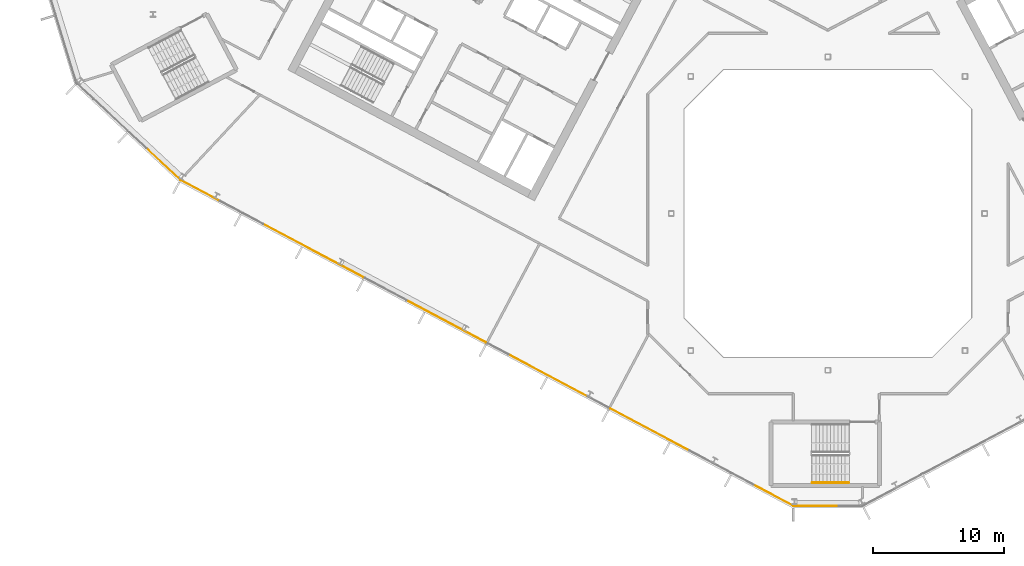
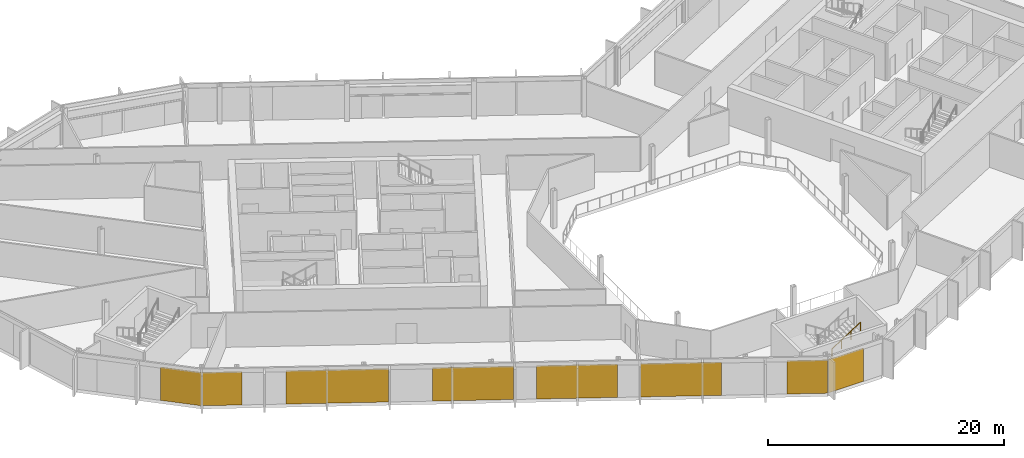
# One storey, part 18 of 26: 8 coverings, 1 railing, 3 elements without a shape of their own.
"""IFC4 building model written with IfcOpenShell, lengths in metres."""

import ifcopenshell
import ifcopenshell.guid

model = None  # the IFC model being written
_history = None  # IfcOwnerHistory: only IFC2X3 demands one
_inside = {}  # id of a spatial element -> (the spatial element, [elements in it])
_under = {}  # id of a project, library or spatial element -> (it, [spatial elements below it])
_declared = {}  # id of a project -> (the project, [libraries it declares])
_typed = {}  # id of a type object -> (the type object, [elements of that type])
_made_of = {}  # id of a material, layer set ... -> (it, [elements and type objects made of it])


def new_model(schema):
    """Start an empty IFC model of exactly this schema.

    Asked for "IFC4X3", IfcOpenShell would pick the latest addendum, in which some entities
    have other attributes; the version numbers below select the first issue.
    IFC2X3 requires an IfcOwnerHistory on every rooted entity: one is made here for all.
    """
    global model, _history
    if schema == "IFC4X3":
        model = ifcopenshell.file(schema_version=(4, 3, 0, 0))
    else:
        model = ifcopenshell.file(schema=schema)
    _inside.clear()
    _under.clear()
    _declared.clear()
    _typed.clear()
    _made_of.clear()
    _history = None
    if model.schema == "IFC2X3":
        org = make("IfcOrganization", Name="unknown")
        user = make(
            "IfcPersonAndOrganization",
            ThePerson=make("IfcPerson", FamilyName="unknown"),
            TheOrganization=org,
        )
        app = make(
            "IfcApplication",
            ApplicationDeveloper=org,
            Version="unknown",
            ApplicationFullName="unknown",
            ApplicationIdentifier="unknown",
        )
        _history = make(
            "IfcOwnerHistory",
            OwningUser=user,
            OwningApplication=app,
            ChangeAction="ADDED",
            CreationDate=0,
        )
    return model


def make(cls, **values):
    """One entity of the class cls with the attributes given. An attribute that is None is left unset."""
    return model.create_entity(
        cls, **{name: value for name, value in values.items() if value is not None}
    )


def rooted(cls, **values):
    """An entity with a GlobalId (a new one), such as an element, a storey or a relation."""
    return make(cls, GlobalId=ifcopenshell.guid.new(), OwnerHistory=_history, **values)


def si_unit(unit_type, name, prefix=None):
    """IfcSIUnit, for example si_unit("LENGTHUNIT", "METRE", prefix="MILLI")."""
    return make("IfcSIUnit", UnitType=unit_type, Prefix=prefix, Name=name)


def assignment(units):
    """IfcUnitAssignment: the units of a project."""
    return None if units is None else make("IfcUnitAssignment", Units=units)


def point(xyz):
    """IfcCartesianPoint."""
    return None if xyz is None else make("IfcCartesianPoint", Coordinates=xyz)


def direction(xyz):
    """IfcDirection."""
    return None if xyz is None else make("IfcDirection", DirectionRatios=xyz)


def frame(location, z_axis=None, x_axis=None):
    """IfcAxis2Placement3D, a coordinate frame: its origin and axes. An axis left out is left unset."""
    return make(
        "IfcAxis2Placement3D",
        Location=point(location),
        Axis=direction(z_axis),
        RefDirection=direction(x_axis),
    )


def frame_2d(location, x_axis=None):
    """IfcAxis2Placement2D, a coordinate frame in the plane: its origin and x axis."""
    return make(
        "IfcAxis2Placement2D", Location=point(location), RefDirection=direction(x_axis)
    )


def origin():
    """The frame at (0, 0, 0) with its axes left unset."""
    return frame((0.0, 0.0, 0.0))


def origin_2d():
    """The frame at (0, 0) in the plane with its x axis left unset."""
    return frame_2d((0.0, 0.0))


def place(relative_to, where):
    """IfcLocalPlacement: puts the frame where relative to a parent placement (None: the world)."""
    return make(
        "IfcLocalPlacement", PlacementRelTo=relative_to, RelativePlacement=where
    )


def context(
    kind, dimensions, precision=None, world=None, true_north=None, identifier=None
):
    """IfcGeometricRepresentationContext, for example the 3D "Model" context."""
    return make(
        "IfcGeometricRepresentationContext",
        ContextIdentifier=identifier,
        ContextType=kind,
        CoordinateSpaceDimension=dimensions,
        Precision=precision,
        WorldCoordinateSystem=world,
        TrueNorth=true_north,
    )


def subcontext(parent, identifier, kind, view, scale=None):
    """IfcGeometricRepresentationSubContext, for example "Body" below "Model"."""
    return make(
        "IfcGeometricRepresentationSubContext",
        ContextIdentifier=identifier,
        ContextType=kind,
        ParentContext=parent,
        TargetScale=scale,
        TargetView=view,
    )


def project(units=None, contexts=None):
    """IfcProject with its units and contexts."""
    return rooted(
        "IfcProject",
        Name="project",
        RepresentationContexts=contexts,
        UnitsInContext=assignment(units),
    )


def spatial(cls, under=None, at=None, **own):
    """A site, building, storey or space (cls), placed at a placement, below another one or the project."""
    s = rooted(cls, ObjectPlacement=at, **own)
    if under is not None:
        _under.setdefault(under.id(), (under, []))[1].append(s)
    return s


def polyline(points):
    """IfcPolyline through the points."""
    return make("IfcPolyline", Points=[point(p) for p in points])


def profile(cls, at=None, kind="AREA", **sizes):
    """A parametric profile (cls). Its sizes go by their IFC names, for example OverallWidth=200.0."""
    return make(cls, ProfileType=kind, Position=at, **sizes)


def rectangle(**sizes):
    """IfcRectangleProfileDef."""
    return profile("IfcRectangleProfileDef", **sizes)


def outline(outer, holes=None, kind="AREA"):
    """IfcArbitraryClosedProfileDef: a profile drawn as a closed curve; with holes, ...WithVoids."""
    if holes is None:
        return make("IfcArbitraryClosedProfileDef", ProfileType=kind, OuterCurve=outer)
    return make(
        "IfcArbitraryProfileDefWithVoids",
        ProfileType=kind,
        OuterCurve=outer,
        InnerCurves=holes,
    )


def extrude(swept, where, along, depth):
    """IfcExtrudedAreaSolid: the profile swept, set in the frame where, extruded along a direction by depth."""
    return make(
        "IfcExtrudedAreaSolid",
        SweptArea=swept,
        Position=where,
        ExtrudedDirection=direction(along),
        Depth=depth,
    )


def shape(context_of_items, identifier, shape_type, items):
    """IfcShapeRepresentation: the items that make up one representation, for example the "Body"."""
    return make(
        "IfcShapeRepresentation",
        ContextOfItems=context_of_items,
        RepresentationIdentifier=identifier,
        RepresentationType=shape_type,
        Items=items,
    )


def material(Name=None, Category=None):
    """IfcMaterial."""
    return make("IfcMaterial", Name=Name, Category=Category)


def layer(
    of_material, thickness, ventilated=None, Name=None, Category=None, Priority=None
):
    """IfcMaterialLayer: one layer of a wall or slab, of a material (None: an air gap)."""
    return make(
        "IfcMaterialLayer",
        Material=of_material,
        LayerThickness=thickness,
        IsVentilated=ventilated,
        Name=Name,
        Category=Category,
        Priority=Priority,
    )


def layer_set(layers, Name=None):
    """IfcMaterialLayerSet."""
    return make("IfcMaterialLayerSet", MaterialLayers=layers, LayerSetName=Name)


def made_of(thing, what):
    """Note that an element or type object is made of a material, layer set ...; save() writes the relation."""
    if what is not None:
        _made_of.setdefault(what.id(), (what, []))[1].append(thing)
    return thing


def type_object(cls, material=None, **own):
    """A type object (cls), such as IfcWallType, which elements share."""
    return made_of(rooted(cls, **own), material)


def element(
    cls,
    number,
    at=None,
    inside=None,
    cuts=None,
    type_object=None,
    material=None,
    context=None,
    identifier="Body",
    shape_type=None,
    held_by="IfcProductDefinitionShape",
    body=None,
    shapes=None,
    **own,
):
    """One element of the class cls, such as IfcWall. Its Tag is "e" and its number.

    at: its placement. inside: the storey or other place that contains it. cuts: it is an
    opening in that element (IfcRelVoidsElement). A single representation is given by context,
    identifier, shape_type and body (its items); several are given by shapes. held_by: the class
    of the entity that holds the representations. save() writes the other relations.
    """
    e = rooted(cls, Tag="e%d" % number, ObjectPlacement=at, **own)
    if body is not None:
        shapes = [shape(context, identifier, shape_type, body)]
    if shapes is not None:
        e.Representation = make(held_by, Representations=shapes)
    if inside is not None:
        _inside.setdefault(inside.id(), (inside, []))[1].append(e)
    if cuts is not None:
        rooted(
            "IfcRelVoidsElement", RelatingBuildingElement=cuts, RelatedOpeningElement=e
        )
    if type_object is not None:
        _typed.setdefault(type_object.id(), (type_object, []))[1].append(e)
    return made_of(e, material)


def aggregate(whole, parts):
    """IfcRelAggregates: a whole, such as a stair, and the parts it consists of."""
    return rooted("IfcRelAggregates", RelatingObject=whole, RelatedObjects=parts)


def save(model, path):
    """Write the relations noted so far, then the file.

    IfcRelAggregates (storeys below a building ...), IfcRelContainedInSpatialStructure (elements
    in a storey), IfcRelDefinesByType, IfcRelAssociatesMaterial and IfcRelDeclares: one each for
    every whole, place, type object, material and project.
    """
    for whole, parts in _under.values():
        aggregate(whole, parts)
    for where, things in _inside.values():
        rooted(
            "IfcRelContainedInSpatialStructure",
            RelatedElements=things,
            RelatingStructure=where,
        )
    for kind, things in _typed.values():
        rooted("IfcRelDefinesByType", RelatedObjects=things, RelatingType=kind)
    for what, things in _made_of.values():
        rooted("IfcRelAssociatesMaterial", RelatedObjects=things, RelatingMaterial=what)
    for by, libraries in _declared.values():
        rooted("IfcRelDeclares", RelatingContext=by, RelatedDefinitions=libraries)
    model.write(path)


model = new_model("IFC4")

# Units and contexts
model_context = context("Model", 3, precision=1e-05, world=origin(), true_north=direction((0.0, 1.0)))
body_context = subcontext(model_context, "Body", "Model", "MODEL_VIEW")
ifc_project = project(units=[si_unit("LENGTHUNIT", "METRE"), si_unit("AREAUNIT", "SQUARE_METRE"), si_unit("VOLUMEUNIT", "CUBIC_METRE"), si_unit("PLANEANGLEUNIT", "RADIAN"), si_unit("MASSUNIT", "GRAM", prefix="KILO")], contexts=[model_context])

# Site, building, storey
site_placement = place(None, origin())
site = spatial("IfcSite", under=ifc_project, at=site_placement, CompositionType="ELEMENT")
building_placement = place(site_placement, origin())
building = spatial("IfcBuilding", under=site, at=building_placement, Name="Cormorant Relay Tower", CompositionType="ELEMENT")
storey_placement = place(building_placement, frame((0.0, 0.0, 197.39990234375)))
storey = spatial("IfcBuildingStorey", under=building, at=storey_placement, Name="L42", CompositionType="ELEMENT", Elevation=197.39990234375)

# Curtain wall, covering
ifc_material_1 = material(Name="Aluminium 6063-T6 anodised bronze", Category="aluminium")
ifc_layer_1 = layer(ifc_material_1, 0.199951171875)
ifc_layer_set_1 = layer_set([ifc_layer_1], Name="CW1 unitised bronze curtain wall with vertical fins")
curtain_wall_type = type_object("IfcCurtainWallType", Name="CW1 unitised bronze curtain wall with vertical fins", PredefinedType="NOTDEFINED", material=ifc_layer_set_1)
curtain_wall_1_placement = place(storey_placement, origin())
curtain_wall_1 = element("IfcCurtainWall", 1, at=curtain_wall_1_placement, inside=storey, type_object=curtain_wall_type, Name="CW1 curtain wall 1", PredefinedType="NOTDEFINED")
ifc_material_2 = material(Name="Pale bronze anodised aluminium insulated panel", Category="aluminium")
ifc_layer_2 = layer(ifc_material_2, 0.0400390625)
ifc_layer_set_2 = layer_set([ifc_layer_2], Name="CW1 pale bronze insulated panel 40")
covering_type = type_object("IfcCoveringType", Name="CW1 pale bronze insulated panel 40", PredefinedType="CLADDING", material=ifc_layer_set_2)
covering_1_placement = place(storey_placement, frame((-0.862548828125, -22.3955078125, 0.0), z_axis=(0.0, 0.0, 1.0), x_axis=(1.0, 0.0, 0.0)))
covering_1 = element("IfcCovering", 2, at=covering_1_placement, type_object=covering_type, Name="CW1 panel S00", PredefinedType="CLADDING", context=body_context, shape_type="SweptSolid", body=[
    extrude(rectangle(XDim=3.422607421875, YDim=0.0400390625, at=origin_2d()), origin(), (0.0, 0.0, 1.0), 3.449951171875),
])
aggregate(curtain_wall_1, [covering_1])

curtain_wall_2_placement = place(storey_placement, origin())
curtain_wall_2 = element("IfcCurtainWall", 3, at=curtain_wall_2_placement, inside=storey, type_object=curtain_wall_type, Name="CW1 curtain wall 15", PredefinedType="NOTDEFINED")
covering_2_placement = place(storey_placement, frame((-50.906982421875, 3.78369140625, 0.0), z_axis=(0.0, 0.0, 1.0), x_axis=(0.731353701619, -0.681998360062, 0.0)))
covering_2 = element("IfcCovering", 4, at=covering_2_placement, type_object=covering_type, Name="CW1 panel S03", PredefinedType="CLADDING", context=body_context, shape_type="SweptSolid", body=[
    extrude(rectangle(XDim=3.560302734375, YDim=0.0400390625, at=origin_2d()), origin(), (0.0, 0.0, 1.0), 3.449951171875),
])
aggregate(curtain_wall_2, [covering_2])

# Curtain wall, coverings
curtain_wall_3_placement = place(storey_placement, origin())
curtain_wall_3 = element("IfcCurtainWall", 5, at=curtain_wall_3_placement, inside=storey, type_object=curtain_wall_type, Name="CW1 curtain wall 16", PredefinedType="NOTDEFINED")
covering_3_placement = place(storey_placement, frame((-48.048583984375, 1.7412109375, 0.0), z_axis=(0.0, 0.0, 1.0), x_axis=(0.882947592859, -0.469471562786, 0.0)))
covering_3 = element("IfcCovering", 6, at=covering_3_placement, type_object=covering_type, Name="CW1 panel S00", PredefinedType="CLADDING", context=body_context, shape_type="SweptSolid", body=[
    extrude(rectangle(XDim=3.36669921875, YDim=0.0400390625, at=origin_2d()), origin(), (0.0, 0.0, 1.0), 3.449951171875),
])
covering_4_placement = place(storey_placement, frame((-39.417724609375, -2.847900390625, 0.0), z_axis=(0.0, 0.0, 1.0), x_axis=(0.882947592859, -0.469471562786, 0.0)))
covering_4 = element("IfcCovering", 7, at=covering_4_placement, type_object=covering_type, Name="CW1 panel S03", PredefinedType="CLADDING", context=body_context, shape_type="SweptSolid", body=[
    extrude(rectangle(XDim=8.68310546875, YDim=0.0400390625, at=origin_2d()), origin(), (0.0, 0.0, 1.0), 3.449951171875),
])
covering_5_placement = place(storey_placement, frame((-29.234619140625, -8.26220703125, 0.0), z_axis=(0.0, 0.0, 1.0), x_axis=(0.882947592859, -0.469471562786, 0.0)))
covering_5 = element("IfcCovering", 8, at=covering_5_placement, type_object=covering_type, Name="CW1 panel S05", PredefinedType="CLADDING", context=body_context, shape_type="SweptSolid", body=[
    extrude(rectangle(XDim=6.88330078125, YDim=0.0400390625, at=origin_2d()), origin(), (0.0, 0.0, 1.0), 3.449951171875),
])
covering_6_placement = place(storey_placement, frame((-21.435302734375, -12.4091796875, 0.0), z_axis=(0.0, 0.0, 1.0), x_axis=(0.882947592859, -0.469471562786, 0.0)))
covering_6 = element("IfcCovering", 9, at=covering_6_placement, type_object=covering_type, Name="CW1 panel S07", PredefinedType="CLADDING", context=body_context, shape_type="SweptSolid", body=[
    extrude(rectangle(XDim=6.88330078125, YDim=0.0400390625, at=origin_2d()), origin(), (0.0, 0.0, 1.0), 3.449951171875),
])
covering_7_placement = place(storey_placement, frame((-13.635986328125, -16.55615234375, 0.0), z_axis=(0.0, 0.0, 1.0), x_axis=(0.882947592859, -0.469471562786, 0.0)))
covering_7 = element("IfcCovering", 10, at=covering_7_placement, type_object=covering_type, Name="CW1 panel S09", PredefinedType="CLADDING", context=body_context, shape_type="SweptSolid", body=[
    extrude(rectangle(XDim=6.88330078125, YDim=0.0400390625, at=origin_2d()), origin(), (0.0, 0.0, 1.0), 3.449951171875),
])
covering_8_placement = place(storey_placement, frame((-4.177490234375, -21.58544921875, 0.0), z_axis=(0.0, 0.0, 1.0), x_axis=(0.882947592859, -0.469471562786, 0.0)))
covering_8 = element("IfcCovering", 11, at=covering_8_placement, type_object=covering_type, Name="CW1 panel S12", PredefinedType="CLADDING", context=body_context, shape_type="SweptSolid", body=[
    extrude(rectangle(XDim=3.441650390625, YDim=0.0400390625, at=origin_2d()), origin(), (0.0, 0.0, 1.0), 3.449951171875),
])
aggregate(curtain_wall_3, [covering_3, covering_4, covering_5, covering_6, covering_7, covering_8])

# Railing
ifc_material_3 = material(Name="Steel ASTM A572 Grade 50 (Fy 345 MPa)", Category="steel")
railing_type = type_object("IfcRailingType", Name="Stair handrail 900", PredefinedType="HANDRAIL", material=ifc_material_3)
railing_placement = place(storey_placement, frame((-1.199951171875, -20.625, 2.12744140625)))
element("IfcRailing", 12, at=railing_placement, inside=storey, type_object=railing_type, Name="L42 RK1 stair handrail 2", PredefinedType="HANDRAIL", context=body_context, shape_type="SweptSolid", body=[
    extrude(outline(polyline([(0.022216796875, 0.00927734375), (0.00927734375, 0.022216796875), (-0.00927734375, 0.022216796875), (-0.022216796875, 0.00927734375), (-0.022216796875, -0.00927734375), (-0.00927734375, -0.022216796875), (0.00927734375, -0.022216796875), (0.022216796875, -0.00927734375), (0.022216796875, 0.00927734375)])), frame((0.0, 0.0, 0.8759765625), z_axis=(0.844908973607, 0.0, 0.534910110503), x_axis=(0.0, 1.0, 0.0)), (0.0, 0.0, 1.0), 3.31396484375),
    extrude(outline(polyline([(0.019287109375, 0.008056640625), (0.008056640625, 0.019287109375), (-0.008056640625, 0.019287109375), (-0.019287109375, 0.008056640625), (-0.019287109375, -0.008056640625), (-0.008056640625, -0.019287109375), (0.008056640625, -0.019287109375), (0.019287109375, -0.008056640625), (0.019287109375, 0.008056640625)])), origin(), (0.0, 0.0, 1.0), 0.851806640625),
    extrude(outline(polyline([(0.019287109375, 0.008056640625), (0.008056640625, 0.019287109375), (-0.008056640625, 0.019287109375), (-0.019287109375, 0.008056640625), (-0.019287109375, -0.008056640625), (-0.008056640625, -0.019287109375), (0.008056640625, -0.019287109375), (0.019287109375, -0.008056640625), (0.019287109375, 0.008056640625)])), frame((0.933349609375, 0.0, 0.5908203125)), (0.0, 0.0, 1.0), 0.851806640625),
    extrude(outline(polyline([(0.019287109375, 0.008056640625), (0.008056640625, 0.019287109375), (-0.008056640625, 0.019287109375), (-0.019287109375, 0.008056640625), (-0.019287109375, -0.008056640625), (-0.008056640625, -0.019287109375), (0.008056640625, -0.019287109375), (0.019287109375, -0.008056640625), (0.019287109375, 0.008056640625)])), frame((1.86669921875, 0.0, 1.181884765625)), (0.0, 0.0, 1.0), 0.851806640625),
    extrude(outline(polyline([(0.019287109375, 0.008056640625), (0.008056640625, 0.019287109375), (-0.008056640625, 0.019287109375), (-0.019287109375, 0.008056640625), (-0.019287109375, -0.008056640625), (-0.008056640625, -0.019287109375), (0.008056640625, -0.019287109375), (0.019287109375, -0.008056640625), (0.019287109375, 0.008056640625)])), frame((2.800048828125, 0.0, 1.772705078125)), (0.0, 0.0, 1.0), 0.851806640625),
])

save(model, "model.ifc")
